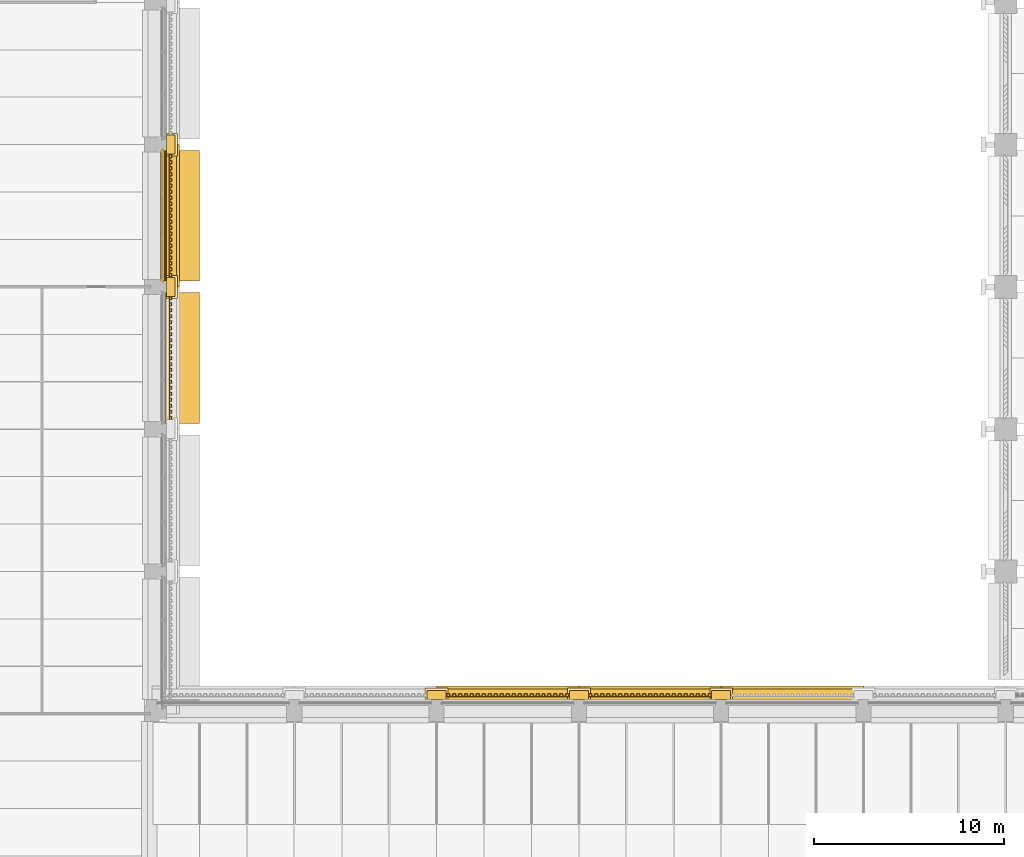
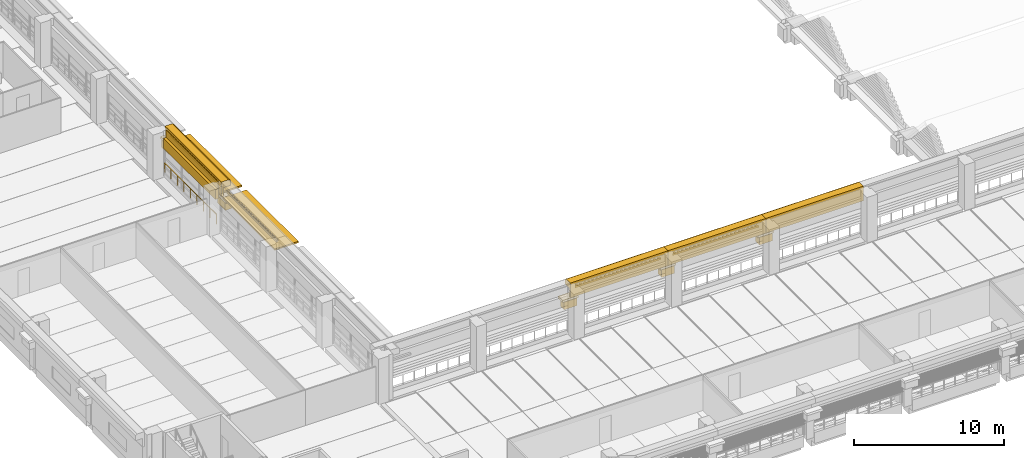
# One storey, part 49 of 71: 19 coverings, 2 shading devices, 1 railing.
"""IFC4 building model written with IfcOpenShell, lengths in metres."""

from ifc_helpers import new_model, si_unit, direction, frame, origin, origin_2d, place, context, subcontext, project, spatial, polyline, circle, outline, extrude, material, layer, layer_set, type_object, element, save


model = new_model("IFC4")

# Units and contexts
model_context = context("Model", 3, precision=1e-05, world=origin(), true_north=direction((0.0, 1.0)))
body_context = subcontext(model_context, "Body", "Model", "MODEL_VIEW")
ifc_project = project(units=[si_unit("LENGTHUNIT", "METRE"), si_unit("AREAUNIT", "SQUARE_METRE"), si_unit("VOLUMEUNIT", "CUBIC_METRE"), si_unit("PLANEANGLEUNIT", "RADIAN"), si_unit("MASSUNIT", "GRAM", prefix="KILO")], contexts=[model_context])

# Site, building, storey
site_placement = place(None, origin())
site = spatial("IfcSite", under=ifc_project, at=site_placement, CompositionType="ELEMENT")
building_placement = place(site_placement, origin())
building = spatial("IfcBuilding", under=site, at=building_placement, Name="Cour d'Honneur Mobility Palace", CompositionType="ELEMENT")
storey_placement = place(building_placement, frame((0.0, 0.0, 15.60009765625)))
storey = spatial("IfcBuildingStorey", under=building, at=storey_placement, Name="L04", CompositionType="ELEMENT", Elevation=15.60009765625)

# Railing
ifc_material_1 = material(Name="Painted steel", Category="steel")
railing_type = type_object("IfcRailingType", Name="Balustrade", PredefinedType="BALUSTRADE", material=ifc_material_1)
railing_placement = place(storey_placement, frame((17.949951171875, 85.199951171875, 0.2998046875)))
element("IfcRailing", 1, at=railing_placement, inside=storey, type_object=railing_type, Name="Balustrade BAL-255", PredefinedType="BALUSTRADE", context=body_context, shape_type="SweptSolid", body=[
    extrude(circle(Radius=0.02392578125, at=origin_2d()), frame((0.0, 0.0, 0.77587890625), z_axis=(0.0, 1.0, 0.0), x_axis=(-1.0, 0.0, 0.0)), (0.0, 0.0, 1.0), 6.900146484375),
    extrude(circle(Radius=0.02099609375, at=origin_2d()), origin(), (0.0, 0.0, 1.0), 0.751953125),
    extrude(circle(Radius=0.02099609375, at=origin_2d()), frame((0.0, 0.862548828125, 0.0)), (0.0, 0.0, 1.0), 0.751953125),
    extrude(circle(Radius=0.02099609375, at=origin_2d()), frame((0.0, 1.72509765625, 0.0)), (0.0, 0.0, 1.0), 0.751953125),
    extrude(circle(Radius=0.02099609375, at=origin_2d()), frame((0.0, 2.587646484375, 0.0)), (0.0, 0.0, 1.0), 0.751953125),
    extrude(circle(Radius=0.02099609375, at=origin_2d()), frame((0.0, 3.4501953125, 0.0)), (0.0, 0.0, 1.0), 0.751953125),
    extrude(circle(Radius=0.02099609375, at=origin_2d()), frame((0.0, 4.3125, 0.0)), (0.0, 0.0, 1.0), 0.751953125),
    extrude(circle(Radius=0.02099609375, at=origin_2d()), frame((0.0, 5.175048828125, 0.0)), (0.0, 0.0, 1.0), 0.751953125),
    extrude(circle(Radius=0.02099609375, at=origin_2d()), frame((0.0, 6.03759765625, 0.0)), (0.0, 0.0, 1.0), 0.751953125),
    extrude(circle(Radius=0.02099609375, at=origin_2d()), frame((0.0, 6.900146484375, 0.0)), (0.0, 0.0, 1.0), 0.751953125),
])

# Coverings
ifc_material_2 = material(Name="Cast limestone", Category="masonry")
ifc_layer_1 = layer(ifc_material_2, 0.14990234375)
ifc_layer_set_1 = layer_set([ifc_layer_1], Name="Cast limestone")
covering_type_1 = type_object("IfcCoveringType", Name="Dentil course", PredefinedType="CLADDING", material=ifc_layer_set_1)
covering_1_placement = place(storey_placement, frame((0.0, 0.0, 3.14990234375)))
element("IfcCovering", 2, at=covering_1_placement, inside=storey, type_object=covering_type_1, Name="Dentil course DC-108", PredefinedType="CLADDING", context=body_context, shape_type="SweptSolid", body=[
    extrude(outline(polyline([(46.949951171875, 63.300048828125), (40.35009765625, 63.300048828125), (40.35009765625, 63.330078125), (40.35009765625, 63.330078125), (40.428466796875, 63.330078125), (40.428466796875, 63.449951171875), (40.585693359375, 63.449951171875), (40.585693359375, 63.330078125), (40.664306640625, 63.330078125), (40.664306640625, 63.330078125), (40.742919921875, 63.330078125), (40.742919921875, 63.449951171875), (40.89990234375, 63.449951171875), (40.89990234375, 63.330078125), (40.978515625, 63.330078125), (40.978515625, 63.330078125), (41.05712890625, 63.330078125), (41.05712890625, 63.449951171875), (41.21435546875, 63.449951171875), (41.21435546875, 63.330078125), (41.29296875, 63.330078125), (41.29296875, 63.330078125), (41.371337890625, 63.330078125), (41.371337890625, 63.449951171875), (41.528564453125, 63.449951171875), (41.528564453125, 63.330078125), (41.607177734375, 63.330078125), (41.607177734375, 63.330078125), (41.685791015625, 63.330078125), (41.685791015625, 63.449951171875), (41.8427734375, 63.449951171875), (41.8427734375, 63.330078125), (41.92138671875, 63.330078125), (41.92138671875, 63.330078125), (42.0, 63.330078125), (42.0, 63.449951171875), (42.1572265625, 63.449951171875), (42.1572265625, 63.330078125), (42.235595703125, 63.330078125), (42.235595703125, 63.330078125), (42.314208984375, 63.330078125), (42.314208984375, 63.449951171875), (42.471435546875, 63.449951171875), (42.471435546875, 63.330078125), (42.550048828125, 63.330078125), (42.550048828125, 63.330078125), (42.628662109375, 63.330078125), (42.628662109375, 63.449951171875), (42.78564453125, 63.449951171875), (42.78564453125, 63.330078125), (42.8642578125, 63.330078125), (42.8642578125, 63.330078125), (42.94287109375, 63.330078125), (42.94287109375, 63.449951171875), (43.10009765625, 63.449951171875), (43.10009765625, 63.330078125), (43.178466796875, 63.330078125), (43.178466796875, 63.330078125), (43.257080078125, 63.330078125), (43.257080078125, 63.449951171875), (43.414306640625, 63.449951171875), (43.414306640625, 63.330078125), (43.492919921875, 63.330078125), (43.492919921875, 63.330078125), (43.571533203125, 63.330078125), (43.571533203125, 63.449951171875), (43.728515625, 63.449951171875), (43.728515625, 63.330078125), (43.80712890625, 63.330078125), (43.80712890625, 63.330078125), (43.8857421875, 63.330078125), (43.8857421875, 63.449951171875), (44.04296875, 63.449951171875), (44.04296875, 63.330078125), (44.121337890625, 63.330078125), (44.121337890625, 63.330078125), (44.199951171875, 63.330078125), (44.199951171875, 63.449951171875), (44.357177734375, 63.449951171875), (44.357177734375, 63.330078125), (44.435791015625, 63.330078125), (44.435791015625, 63.330078125), (44.514404296875, 63.330078125), (44.514404296875, 63.449951171875), (44.67138671875, 63.449951171875), (44.67138671875, 63.330078125), (44.75, 63.330078125), (44.75, 63.330078125), (44.82861328125, 63.330078125), (44.82861328125, 63.449951171875), (44.985595703125, 63.449951171875), (44.985595703125, 63.330078125), (45.064208984375, 63.330078125), (45.064208984375, 63.330078125), (45.142822265625, 63.330078125), (45.142822265625, 63.449951171875), (45.300048828125, 63.449951171875), (45.300048828125, 63.330078125), (45.378662109375, 63.330078125), (45.378662109375, 63.330078125), (45.45703125, 63.330078125), (45.45703125, 63.449951171875), (45.6142578125, 63.449951171875), (45.6142578125, 63.330078125), (45.69287109375, 63.330078125), (45.69287109375, 63.330078125), (45.771484375, 63.330078125), (45.771484375, 63.449951171875), (45.928466796875, 63.449951171875), (45.928466796875, 63.330078125), (46.007080078125, 63.330078125), (46.007080078125, 63.330078125), (46.085693359375, 63.330078125), (46.085693359375, 63.449951171875), (46.242919921875, 63.449951171875), (46.242919921875, 63.330078125), (46.321533203125, 63.330078125), (46.321533203125, 63.330078125), (46.39990234375, 63.330078125), (46.39990234375, 63.449951171875), (46.55712890625, 63.449951171875), (46.55712890625, 63.330078125), (46.6357421875, 63.330078125), (46.6357421875, 63.330078125), (46.71435546875, 63.330078125), (46.71435546875, 63.449951171875), (46.871337890625, 63.449951171875), (46.871337890625, 63.330078125), (46.949951171875, 63.330078125), (46.949951171875, 63.300048828125)])), origin(), (0.0, 0.0, 1.0), 0.14990234375),
])
covering_2_placement = place(storey_placement, frame((0.0, 0.0, 3.14990234375)))
element("IfcCovering", 3, at=covering_2_placement, inside=storey, type_object=covering_type_1, Name="Dentil course DC-109", PredefinedType="CLADDING", context=body_context, shape_type="SweptSolid", body=[
    extrude(outline(polyline([(39.449951171875, 63.300048828125), (32.85009765625, 63.300048828125), (32.85009765625, 63.330078125), (32.85009765625, 63.330078125), (32.928466796875, 63.330078125), (32.928466796875, 63.449951171875), (33.085693359375, 63.449951171875), (33.085693359375, 63.330078125), (33.164306640625, 63.330078125), (33.164306640625, 63.330078125), (33.242919921875, 63.330078125), (33.242919921875, 63.449951171875), (33.39990234375, 63.449951171875), (33.39990234375, 63.330078125), (33.478515625, 63.330078125), (33.478515625, 63.330078125), (33.55712890625, 63.330078125), (33.55712890625, 63.449951171875), (33.71435546875, 63.449951171875), (33.71435546875, 63.330078125), (33.79296875, 63.330078125), (33.79296875, 63.330078125), (33.871337890625, 63.330078125), (33.871337890625, 63.449951171875), (34.028564453125, 63.449951171875), (34.028564453125, 63.330078125), (34.107177734375, 63.330078125), (34.107177734375, 63.330078125), (34.185791015625, 63.330078125), (34.185791015625, 63.449951171875), (34.3427734375, 63.449951171875), (34.3427734375, 63.330078125), (34.42138671875, 63.330078125), (34.42138671875, 63.330078125), (34.5, 63.330078125), (34.5, 63.449951171875), (34.6572265625, 63.449951171875), (34.6572265625, 63.330078125), (34.735595703125, 63.330078125), (34.735595703125, 63.330078125), (34.814208984375, 63.330078125), (34.814208984375, 63.449951171875), (34.971435546875, 63.449951171875), (34.971435546875, 63.330078125), (35.050048828125, 63.330078125), (35.050048828125, 63.330078125), (35.128662109375, 63.330078125), (35.128662109375, 63.449951171875), (35.28564453125, 63.449951171875), (35.28564453125, 63.330078125), (35.3642578125, 63.330078125), (35.3642578125, 63.330078125), (35.44287109375, 63.330078125), (35.44287109375, 63.449951171875), (35.60009765625, 63.449951171875), (35.60009765625, 63.330078125), (35.678466796875, 63.330078125), (35.678466796875, 63.330078125), (35.757080078125, 63.330078125), (35.757080078125, 63.449951171875), (35.914306640625, 63.449951171875), (35.914306640625, 63.330078125), (35.992919921875, 63.330078125), (35.992919921875, 63.330078125), (36.071533203125, 63.330078125), (36.071533203125, 63.449951171875), (36.228515625, 63.449951171875), (36.228515625, 63.330078125), (36.30712890625, 63.330078125), (36.30712890625, 63.330078125), (36.3857421875, 63.330078125), (36.3857421875, 63.449951171875), (36.54296875, 63.449951171875), (36.54296875, 63.330078125), (36.621337890625, 63.330078125), (36.621337890625, 63.330078125), (36.699951171875, 63.330078125), (36.699951171875, 63.449951171875), (36.857177734375, 63.449951171875), (36.857177734375, 63.330078125), (36.935791015625, 63.330078125), (36.935791015625, 63.330078125), (37.014404296875, 63.330078125), (37.014404296875, 63.449951171875), (37.17138671875, 63.449951171875), (37.17138671875, 63.330078125), (37.25, 63.330078125), (37.25, 63.330078125), (37.32861328125, 63.330078125), (37.32861328125, 63.449951171875), (37.485595703125, 63.449951171875), (37.485595703125, 63.330078125), (37.564208984375, 63.330078125), (37.564208984375, 63.330078125), (37.642822265625, 63.330078125), (37.642822265625, 63.449951171875), (37.800048828125, 63.449951171875), (37.800048828125, 63.330078125), (37.878662109375, 63.330078125), (37.878662109375, 63.330078125), (37.95703125, 63.330078125), (37.95703125, 63.449951171875), (38.1142578125, 63.449951171875), (38.1142578125, 63.330078125), (38.19287109375, 63.330078125), (38.19287109375, 63.330078125), (38.271484375, 63.330078125), (38.271484375, 63.449951171875), (38.428466796875, 63.449951171875), (38.428466796875, 63.330078125), (38.507080078125, 63.330078125), (38.507080078125, 63.330078125), (38.585693359375, 63.330078125), (38.585693359375, 63.449951171875), (38.742919921875, 63.449951171875), (38.742919921875, 63.330078125), (38.821533203125, 63.330078125), (38.821533203125, 63.330078125), (38.89990234375, 63.330078125), (38.89990234375, 63.449951171875), (39.05712890625, 63.449951171875), (39.05712890625, 63.330078125), (39.1357421875, 63.330078125), (39.1357421875, 63.330078125), (39.21435546875, 63.330078125), (39.21435546875, 63.449951171875), (39.371337890625, 63.449951171875), (39.371337890625, 63.330078125), (39.449951171875, 63.330078125), (39.449951171875, 63.300048828125)])), origin(), (0.0, 0.0, 1.0), 0.14990234375),
])
covering_3_placement = place(storey_placement, frame((0.0, 0.0, 3.14990234375)))
element("IfcCovering", 4, at=covering_3_placement, inside=storey, type_object=covering_type_1, Name="Dentil course DC-114", PredefinedType="CLADDING", context=body_context, shape_type="SweptSolid", body=[
    extrude(outline(polyline([(18.300048828125, 77.85009765625), (18.300048828125, 84.449951171875), (18.330078125, 84.449951171875), (18.330078125, 84.449951171875), (18.330078125, 84.371337890625), (18.449951171875, 84.371337890625), (18.449951171875, 84.21435546875), (18.330078125, 84.21435546875), (18.330078125, 84.1357421875), (18.330078125, 84.1357421875), (18.330078125, 84.05712890625), (18.449951171875, 84.05712890625), (18.449951171875, 83.89990234375), (18.330078125, 83.89990234375), (18.330078125, 83.821533203125), (18.330078125, 83.821533203125), (18.330078125, 83.742919921875), (18.449951171875, 83.742919921875), (18.449951171875, 83.585693359375), (18.330078125, 83.585693359375), (18.330078125, 83.507080078125), (18.330078125, 83.507080078125), (18.330078125, 83.428466796875), (18.449951171875, 83.428466796875), (18.449951171875, 83.271484375), (18.330078125, 83.271484375), (18.330078125, 83.19287109375), (18.330078125, 83.19287109375), (18.330078125, 83.1142578125), (18.449951171875, 83.1142578125), (18.449951171875, 82.95703125), (18.330078125, 82.95703125), (18.330078125, 82.878662109375), (18.330078125, 82.878662109375), (18.330078125, 82.800048828125), (18.449951171875, 82.800048828125), (18.449951171875, 82.642822265625), (18.330078125, 82.642822265625), (18.330078125, 82.564208984375), (18.330078125, 82.564208984375), (18.330078125, 82.485595703125), (18.449951171875, 82.485595703125), (18.449951171875, 82.32861328125), (18.330078125, 82.32861328125), (18.330078125, 82.25), (18.330078125, 82.25), (18.330078125, 82.17138671875), (18.449951171875, 82.17138671875), (18.449951171875, 82.014404296875), (18.330078125, 82.014404296875), (18.330078125, 81.935791015625), (18.330078125, 81.935791015625), (18.330078125, 81.857177734375), (18.449951171875, 81.857177734375), (18.449951171875, 81.699951171875), (18.330078125, 81.699951171875), (18.330078125, 81.621337890625), (18.330078125, 81.621337890625), (18.330078125, 81.54296875), (18.449951171875, 81.54296875), (18.449951171875, 81.3857421875), (18.330078125, 81.3857421875), (18.330078125, 81.30712890625), (18.330078125, 81.30712890625), (18.330078125, 81.228515625), (18.449951171875, 81.228515625), (18.449951171875, 81.071533203125), (18.330078125, 81.071533203125), (18.330078125, 80.992919921875), (18.330078125, 80.992919921875), (18.330078125, 80.914306640625), (18.449951171875, 80.914306640625), (18.449951171875, 80.757080078125), (18.330078125, 80.757080078125), (18.330078125, 80.678466796875), (18.330078125, 80.678466796875), (18.330078125, 80.60009765625), (18.449951171875, 80.60009765625), (18.449951171875, 80.44287109375), (18.330078125, 80.44287109375), (18.330078125, 80.3642578125), (18.330078125, 80.3642578125), (18.330078125, 80.28564453125), (18.449951171875, 80.28564453125), (18.449951171875, 80.128662109375), (18.330078125, 80.128662109375), (18.330078125, 80.050048828125), (18.330078125, 80.050048828125), (18.330078125, 79.971435546875), (18.449951171875, 79.971435546875), (18.449951171875, 79.814208984375), (18.330078125, 79.814208984375), (18.330078125, 79.735595703125), (18.330078125, 79.735595703125), (18.330078125, 79.6572265625), (18.449951171875, 79.6572265625), (18.449951171875, 79.5), (18.330078125, 79.5), (18.330078125, 79.42138671875), (18.330078125, 79.42138671875), (18.330078125, 79.3427734375), (18.449951171875, 79.3427734375), (18.449951171875, 79.185791015625), (18.330078125, 79.185791015625), (18.330078125, 79.107177734375), (18.330078125, 79.107177734375), (18.330078125, 79.028564453125), (18.449951171875, 79.028564453125), (18.449951171875, 78.871337890625), (18.330078125, 78.871337890625), (18.330078125, 78.79296875), (18.330078125, 78.79296875), (18.330078125, 78.71435546875), (18.449951171875, 78.71435546875), (18.449951171875, 78.55712890625), (18.330078125, 78.55712890625), (18.330078125, 78.478515625), (18.330078125, 78.478515625), (18.330078125, 78.39990234375), (18.449951171875, 78.39990234375), (18.449951171875, 78.242919921875), (18.330078125, 78.242919921875), (18.330078125, 78.164306640625), (18.330078125, 78.164306640625), (18.330078125, 78.085693359375), (18.449951171875, 78.085693359375), (18.449951171875, 77.928466796875), (18.330078125, 77.928466796875), (18.330078125, 77.85009765625), (18.300048828125, 77.85009765625)])), origin(), (0.0, 0.0, 1.0), 0.14990234375),
])
covering_4_placement = place(storey_placement, frame((0.0, 0.0, 3.14990234375)))
element("IfcCovering", 5, at=covering_4_placement, inside=storey, type_object=covering_type_1, Name="Dentil course DC-115", PredefinedType="CLADDING", context=body_context, shape_type="SweptSolid", body=[
    extrude(outline(polyline([(18.300048828125, 85.35009765625), (18.300048828125, 91.949951171875), (18.330078125, 91.949951171875), (18.330078125, 91.949951171875), (18.330078125, 91.871337890625), (18.449951171875, 91.871337890625), (18.449951171875, 91.71435546875), (18.330078125, 91.71435546875), (18.330078125, 91.6357421875), (18.330078125, 91.6357421875), (18.330078125, 91.55712890625), (18.449951171875, 91.55712890625), (18.449951171875, 91.39990234375), (18.330078125, 91.39990234375), (18.330078125, 91.321533203125), (18.330078125, 91.321533203125), (18.330078125, 91.242919921875), (18.449951171875, 91.242919921875), (18.449951171875, 91.085693359375), (18.330078125, 91.085693359375), (18.330078125, 91.007080078125), (18.330078125, 91.007080078125), (18.330078125, 90.928466796875), (18.449951171875, 90.928466796875), (18.449951171875, 90.771484375), (18.330078125, 90.771484375), (18.330078125, 90.69287109375), (18.330078125, 90.69287109375), (18.330078125, 90.6142578125), (18.449951171875, 90.6142578125), (18.449951171875, 90.45703125), (18.330078125, 90.45703125), (18.330078125, 90.378662109375), (18.330078125, 90.378662109375), (18.330078125, 90.300048828125), (18.449951171875, 90.300048828125), (18.449951171875, 90.142822265625), (18.330078125, 90.142822265625), (18.330078125, 90.064208984375), (18.330078125, 90.064208984375), (18.330078125, 89.985595703125), (18.449951171875, 89.985595703125), (18.449951171875, 89.82861328125), (18.330078125, 89.82861328125), (18.330078125, 89.75), (18.330078125, 89.75), (18.330078125, 89.67138671875), (18.449951171875, 89.67138671875), (18.449951171875, 89.514404296875), (18.330078125, 89.514404296875), (18.330078125, 89.435791015625), (18.330078125, 89.435791015625), (18.330078125, 89.357177734375), (18.449951171875, 89.357177734375), (18.449951171875, 89.199951171875), (18.330078125, 89.199951171875), (18.330078125, 89.121337890625), (18.330078125, 89.121337890625), (18.330078125, 89.04296875), (18.449951171875, 89.04296875), (18.449951171875, 88.8857421875), (18.330078125, 88.8857421875), (18.330078125, 88.80712890625), (18.330078125, 88.80712890625), (18.330078125, 88.728515625), (18.449951171875, 88.728515625), (18.449951171875, 88.571533203125), (18.330078125, 88.571533203125), (18.330078125, 88.492919921875), (18.330078125, 88.492919921875), (18.330078125, 88.414306640625), (18.449951171875, 88.414306640625), (18.449951171875, 88.257080078125), (18.330078125, 88.257080078125), (18.330078125, 88.178466796875), (18.330078125, 88.178466796875), (18.330078125, 88.10009765625), (18.449951171875, 88.10009765625), (18.449951171875, 87.94287109375), (18.330078125, 87.94287109375), (18.330078125, 87.8642578125), (18.330078125, 87.8642578125), (18.330078125, 87.78564453125), (18.449951171875, 87.78564453125), (18.449951171875, 87.628662109375), (18.330078125, 87.628662109375), (18.330078125, 87.550048828125), (18.330078125, 87.550048828125), (18.330078125, 87.471435546875), (18.449951171875, 87.471435546875), (18.449951171875, 87.314208984375), (18.330078125, 87.314208984375), (18.330078125, 87.235595703125), (18.330078125, 87.235595703125), (18.330078125, 87.1572265625), (18.449951171875, 87.1572265625), (18.449951171875, 87.0), (18.330078125, 87.0), (18.330078125, 86.92138671875), (18.330078125, 86.92138671875), (18.330078125, 86.8427734375), (18.449951171875, 86.8427734375), (18.449951171875, 86.685791015625), (18.330078125, 86.685791015625), (18.330078125, 86.607177734375), (18.330078125, 86.607177734375), (18.330078125, 86.528564453125), (18.449951171875, 86.528564453125), (18.449951171875, 86.371337890625), (18.330078125, 86.371337890625), (18.330078125, 86.29296875), (18.330078125, 86.29296875), (18.330078125, 86.21435546875), (18.449951171875, 86.21435546875), (18.449951171875, 86.05712890625), (18.330078125, 86.05712890625), (18.330078125, 85.978515625), (18.330078125, 85.978515625), (18.330078125, 85.89990234375), (18.449951171875, 85.89990234375), (18.449951171875, 85.742919921875), (18.330078125, 85.742919921875), (18.330078125, 85.664306640625), (18.330078125, 85.664306640625), (18.330078125, 85.585693359375), (18.449951171875, 85.585693359375), (18.449951171875, 85.428466796875), (18.330078125, 85.428466796875), (18.330078125, 85.35009765625), (18.300048828125, 85.35009765625)])), origin(), (0.0, 0.0, 1.0), 0.14990234375),
])

# Shading devices
ifc_material_3 = material(Name="Anodised aluminium", Category="aluminium")
ifc_layer_2 = layer(ifc_material_3, 0.1201171875)
ifc_layer_set_2 = layer_set([ifc_layer_2], Name="Anodised aluminium")
shading_device_type = type_object("IfcShadingDeviceType", Name="Eave sunshade 1800", PredefinedType="AWNING", material=ifc_layer_set_2)
shading_device_1_placement = place(storey_placement, frame((0.0, 0.0, 2.6298828125)))
element("IfcShadingDevice", 6, at=shading_device_1_placement, inside=storey, type_object=shading_device_type, Name="Sunshade E9.2 L04", PredefinedType="AWNING", context=body_context, shape_type="SweptSolid", body=[
    extrude(outline(polyline([(18.10009765625, 77.699951171875), (18.10009765625, 84.60009765625), (19.89990234375, 84.60009765625), (19.89990234375, 77.699951171875), (18.10009765625, 77.699951171875)])), origin(), (0.0, 0.0, 1.0), 0.1201171875),
])
shading_device_2_placement = place(storey_placement, frame((0.0, 0.0, 2.6298828125)))
element("IfcShadingDevice", 7, at=shading_device_2_placement, inside=storey, type_object=shading_device_type, Name="Sunshade E9.3 L04", PredefinedType="AWNING", context=body_context, shape_type="SweptSolid", body=[
    extrude(outline(polyline([(18.10009765625, 85.199951171875), (18.10009765625, 92.10009765625), (19.89990234375, 92.10009765625), (19.89990234375, 85.199951171875), (18.10009765625, 85.199951171875)])), origin(), (0.0, 0.0, 1.0), 0.1201171875),
])

# Coverings
ifc_material_4 = material(Name="Cast limestone", Category="masonry")
ifc_layer_3 = layer(ifc_material_4, 0.699951171875)
ifc_layer_set_3 = layer_set([ifc_layer_3], Name="Cast limestone")
covering_type_2 = type_object("IfcCoveringType", Name="Entablature", PredefinedType="CLADDING", material=ifc_layer_set_3)
for number, where, z_axis, x_axis, name in (
    (8, (54.89990234375, 63.14990234375, 2.599853515625), (1.0, 0.0, 0.0), (0.0, 1.0, 0.0), "Entablature EN-107"),
    (9, (47.39990234375, 63.14990234375, 2.599853515625), (1.0, 0.0, 0.0), (0.0, 1.0, 0.0), "Entablature EN-108"),
    (10, (39.89990234375, 63.14990234375, 2.599853515625), (1.0, 0.0, 0.0), (0.0, 1.0, 0.0), "Entablature EN-109"),
    (11, (18.14990234375, 84.89990234375, 2.599853515625), (0.0, -1.0, 0.0), (1.0, 0.0, 0.0), "Entablature EN-115"),
):
    element("IfcCovering", number, at=place(storey_placement, frame(where, z_axis=z_axis, x_axis=x_axis)), inside=storey, type_object=covering_type_2, Name=name, PredefinedType="CLADDING", context=body_context, shape_type="SweptSolid", body=[
        extrude(outline(polyline([(0.0, 0.0), (0.150146484375, 0.0), (0.150146484375, 0.699951171875), (0.7001953125, 0.699951171875), (0.7001953125, 1.10009765625), (0.550048828125, 1.199951171875), (0.0, 1.199951171875), (0.0, 0.0)])), origin(), (0.0, 0.0, -1.0), 7.5),
    ])
ifc_material_5 = material(Name="Cast limestone", Category="masonry")
ifc_layer_4 = layer(ifc_material_5, 0.1201171875)
ifc_layer_set_4 = layer_set([ifc_layer_4], Name="Cast limestone")
covering_type_3 = type_object("IfcCoveringType", Name="Pilaster capital", PredefinedType="CLADDING", material=ifc_layer_set_4)
covering_5_placement = place(storey_placement, frame((0.0, 0.0, 1.7998046875)))
element("IfcCovering", 12, at=covering_5_placement, inside=storey, type_object=covering_type_3, Name="Pilaster capital PK-149", PredefinedType="CLADDING", context=body_context, shape_type="SweptSolid", body=[
    extrude(outline(polyline([(47.89990234375, 63.14990234375), (46.89990234375, 63.14990234375), (46.89990234375, 63.6201171875), (47.89990234375, 63.6201171875), (47.89990234375, 63.14990234375)])), origin(), (0.0, 0.0, 1.0), 0.6201171875),
])
covering_6_placement = place(storey_placement, frame((0.0, 0.0, 2.419921875)))
element("IfcCovering", 13, at=covering_6_placement, inside=storey, type_object=covering_type_3, Name="Pilaster capital PK-150", PredefinedType="CLADDING", context=body_context, shape_type="SweptSolid", body=[
    extrude(outline(polyline([(48.0, 63.14990234375), (46.800048828125, 63.14990234375), (46.800048828125, 63.75), (48.0, 63.75), (48.0, 63.14990234375)])), origin(), (0.0, 0.0, 1.0), 0.179931640625),
])
covering_7_placement = place(storey_placement, frame((0.0, 0.0, 1.7998046875)))
element("IfcCovering", 14, at=covering_7_placement, inside=storey, type_object=covering_type_3, Name="Pilaster capital PK-151", PredefinedType="CLADDING", context=body_context, shape_type="SweptSolid", body=[
    extrude(outline(polyline([(40.39990234375, 63.14990234375), (39.39990234375, 63.14990234375), (39.39990234375, 63.6201171875), (40.39990234375, 63.6201171875), (40.39990234375, 63.14990234375)])), origin(), (0.0, 0.0, 1.0), 0.6201171875),
])
covering_8_placement = place(storey_placement, frame((0.0, 0.0, 2.419921875)))
element("IfcCovering", 15, at=covering_8_placement, inside=storey, type_object=covering_type_3, Name="Pilaster capital PK-152", PredefinedType="CLADDING", context=body_context, shape_type="SweptSolid", body=[
    extrude(outline(polyline([(40.5, 63.14990234375), (39.300048828125, 63.14990234375), (39.300048828125, 63.75), (40.5, 63.75), (40.5, 63.14990234375)])), origin(), (0.0, 0.0, 1.0), 0.179931640625),
])
covering_9_placement = place(storey_placement, frame((0.0, 0.0, 1.7998046875)))
element("IfcCovering", 16, at=covering_9_placement, inside=storey, type_object=covering_type_3, Name="Pilaster capital PK-153", PredefinedType="CLADDING", context=body_context, shape_type="SweptSolid", body=[
    extrude(outline(polyline([(32.89990234375, 63.14990234375), (31.89990234375, 63.14990234375), (31.89990234375, 63.6201171875), (32.89990234375, 63.6201171875), (32.89990234375, 63.14990234375)])), origin(), (0.0, 0.0, 1.0), 0.6201171875),
])
covering_10_placement = place(storey_placement, frame((0.0, 0.0, 2.419921875)))
element("IfcCovering", 17, at=covering_10_placement, inside=storey, type_object=covering_type_3, Name="Pilaster capital PK-154", PredefinedType="CLADDING", context=body_context, shape_type="SweptSolid", body=[
    extrude(outline(polyline([(33.0, 63.14990234375), (31.800048828125, 63.14990234375), (31.800048828125, 63.75), (33.0, 63.75), (33.0, 63.14990234375)])), origin(), (0.0, 0.0, 1.0), 0.179931640625),
])
covering_11_placement = place(storey_placement, frame((0.0, 0.0, 1.7998046875)))
element("IfcCovering", 18, at=covering_11_placement, inside=storey, type_object=covering_type_3, Name="Pilaster capital PK-165", PredefinedType="CLADDING", context=body_context, shape_type="SweptSolid", body=[
    extrude(outline(polyline([(18.14990234375, 84.39990234375), (18.14990234375, 85.39990234375), (18.6201171875, 85.39990234375), (18.6201171875, 84.39990234375), (18.14990234375, 84.39990234375)])), origin(), (0.0, 0.0, 1.0), 0.6201171875),
])
covering_12_placement = place(storey_placement, frame((0.0, 0.0, 2.419921875)))
element("IfcCovering", 19, at=covering_12_placement, inside=storey, type_object=covering_type_3, Name="Pilaster capital PK-166", PredefinedType="CLADDING", context=body_context, shape_type="SweptSolid", body=[
    extrude(outline(polyline([(18.14990234375, 84.300048828125), (18.14990234375, 85.5), (18.75, 85.5), (18.75, 84.300048828125), (18.14990234375, 84.300048828125)])), origin(), (0.0, 0.0, 1.0), 0.179931640625),
])
covering_13_placement = place(storey_placement, frame((0.0, 0.0, 1.7998046875)))
element("IfcCovering", 20, at=covering_13_placement, inside=storey, type_object=covering_type_3, Name="Pilaster capital PK-167", PredefinedType="CLADDING", context=body_context, shape_type="SweptSolid", body=[
    extrude(outline(polyline([(18.14990234375, 91.89990234375), (18.14990234375, 92.89990234375), (18.6201171875, 92.89990234375), (18.6201171875, 91.89990234375), (18.14990234375, 91.89990234375)])), origin(), (0.0, 0.0, 1.0), 0.6201171875),
])
covering_14_placement = place(storey_placement, frame((0.0, 0.0, 2.419921875)))
element("IfcCovering", 21, at=covering_14_placement, inside=storey, type_object=covering_type_3, Name="Pilaster capital PK-168", PredefinedType="CLADDING", context=body_context, shape_type="SweptSolid", body=[
    extrude(outline(polyline([(18.14990234375, 91.800048828125), (18.14990234375, 93.0), (18.75, 93.0), (18.75, 91.800048828125), (18.14990234375, 91.800048828125)])), origin(), (0.0, 0.0, 1.0), 0.179931640625),
])
ifc_material_6 = material(Name="Cast limestone", Category="masonry")
ifc_layer_5 = layer(ifc_material_6, 0.25)
ifc_layer_set_5 = layer_set([ifc_layer_5], Name="Cast limestone")
covering_type_4 = type_object("IfcCoveringType", Name="Spandrel cladding", PredefinedType="CLADDING", material=ifc_layer_set_5)
covering_15_placement = place(storey_placement, frame((17.85009765625, 85.199951171875, 2.2998046875), z_axis=(0.0, -1.0, 0.0), x_axis=(1.0, 0.0, 0.0)))
element("IfcCovering", 22, at=covering_15_placement, inside=storey, type_object=covering_type_4, Name="Spandrel cladding SK-334", PredefinedType="CLADDING", context=body_context, shape_type="SweptSolid", body=[
    extrude(outline(polyline([(0.0, 0.0), (0.25, 0.0), (0.25, 1.400146484375), (0.199951171875, 1.400146484375), (0.199951171875, 0.800048828125), (0.0, 0.800048828125), (0.0, 0.0)])), origin(), (0.0, 0.0, -1.0), 6.89990234375),
])

save(model, "model.ifc")
